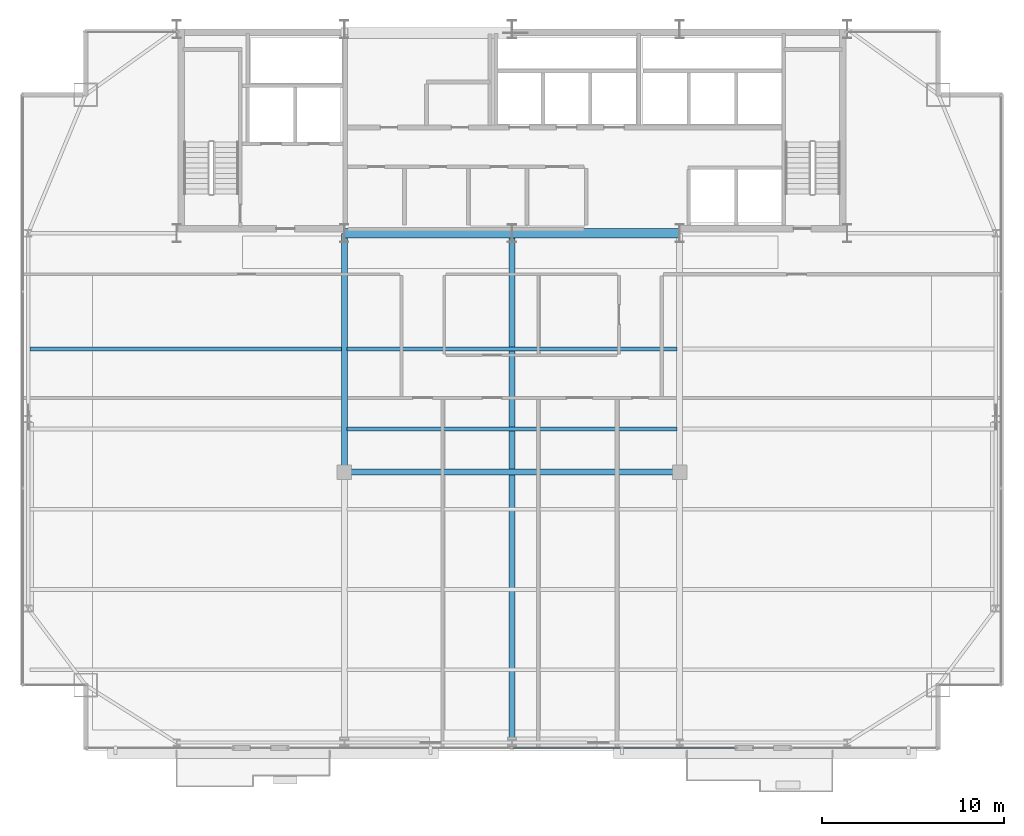
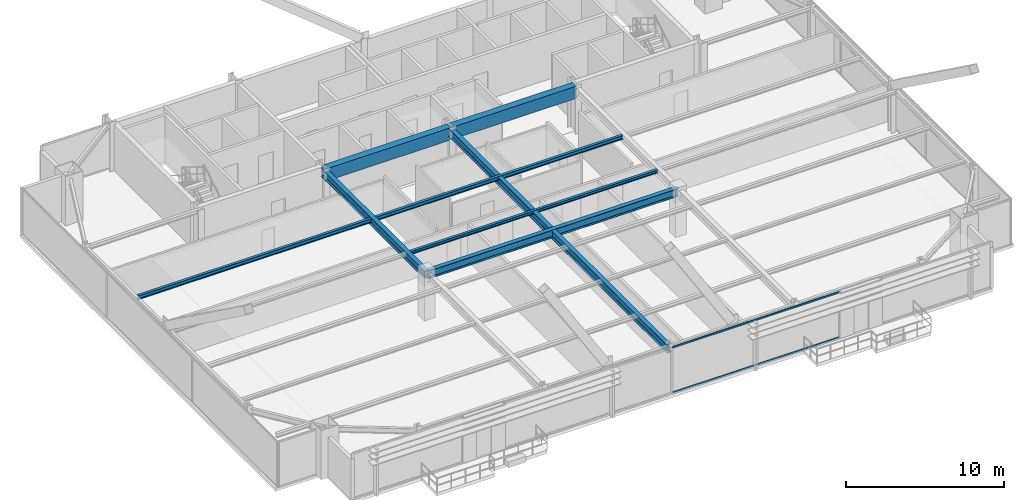
# One storey, part 13 of 32: 8 beams, 2 members, 1 element without a shape of its own.
"""IFC4 building model written with IfcOpenShell, lengths in metres."""

from ifc_helpers import new_model, si_unit, direction, frame, origin, origin_2d, place, context, subcontext, project, spatial, rectangle, hollow_rectangle, i_section, extrude, source, transform, mapped, material, layer, layer_set, material_profile, profile_set, type_object, type_shapes, element, aggregate, save


model = new_model("IFC4")

# Units and contexts
model_context = context("Model", 3, precision=1e-05, world=origin(), true_north=direction((0.0, 1.0)))
body_context = subcontext(model_context, "Body", "Model", "MODEL_VIEW")
ifc_project = project(units=[si_unit("LENGTHUNIT", "METRE"), si_unit("AREAUNIT", "SQUARE_METRE"), si_unit("VOLUMEUNIT", "CUBIC_METRE"), si_unit("PLANEANGLEUNIT", "RADIAN"), si_unit("MASSUNIT", "GRAM", prefix="KILO")], contexts=[model_context])

# Site, building, storey
site_placement = place(None, origin())
site = spatial("IfcSite", under=ifc_project, at=site_placement, CompositionType="ELEMENT")
building_placement = place(site_placement, origin())
building = spatial("IfcBuilding", under=site, at=building_placement, Name="Varnel Quay Broadcast Tower", CompositionType="ELEMENT")
storey_placement = place(building_placement, frame((0.0, 0.0, 164.800048828125)))
storey = spatial("IfcBuildingStorey", under=building, at=storey_placement, Name="L40", CompositionType="ELEMENT", Elevation=164.800048828125)

# Beams
ifc_material_1 = material(Name="Structural Steel CSA G40.21 350W", Category="steel")
ifc_material_profile_1 = material_profile(ifc_material_1, i_section(OverallWidth=0.324951171875, OverallDepth=0.615966796875, WebThickness=0.013916015625, FlangeThickness=0.021484375, FilletRadius=0.01611328125, at=origin_2d()), Name="W610X174")
ifc_profile_set_1 = profile_set([ifc_material_profile_1], Name="Structural Steel CSA G40.21 350W")
beam_type_1 = type_object("IfcBeamType", Name="Girder_W610X174", PredefinedType="BEAM", material=ifc_profile_set_1)
shared_shape_1 = source(origin(), body_context, "Body", "SweptSolid", [
    extrude(i_section(OverallWidth=0.324951171875, OverallDepth=0.615966796875, WebThickness=0.013916015625, FlangeThickness=0.021484375, FilletRadius=0.01611328125, at=origin_2d()), origin(), (0.0, 0.0, 1.0), 13.070068359375),
])
beam_1_placement = place(storey_placement, frame((24.800048828125, 22.510009765625, 3.241943359375), z_axis=(0.0, 1.0, 0.0), x_axis=(-1.0, 0.0, 0.0)))
element("IfcBeam", 1, at=beam_1_placement, inside=storey, type_object=beam_type_1, Name="L40 Primary Girder IC-01-CC-S2", PredefinedType="BEAM", context=body_context, shape_type="MappedRepresentation", body=[
    mapped(shared_shape_1, transform((0.0, 0.0, 0.0), x_axis=(1.0, 0.0, 0.0), y_axis=(0.0, 1.0, 0.0), z_axis=(0.0, 0.0, 1.0), scale=1.0)),
])
shared_shape_2 = source(origin(), body_context, "Body", "SweptSolid", [
    extrude(i_section(OverallWidth=0.324951171875, OverallDepth=0.615966796875, WebThickness=0.013916015625, FlangeThickness=0.021484375, FilletRadius=0.01611328125, at=origin_2d()), origin(), (0.0, 0.0, 1.0), 18.35986328125),
])
beam_2_placement = place(storey_placement, frame((24.820068359375, 22.489990234375, 3.241943359375), z_axis=(1.0, 0.0, 0.0), x_axis=(0.0, 1.0, 0.0)))
element("IfcBeam", 2, at=beam_2_placement, inside=storey, type_object=beam_type_1, Name="L40 Interior Spine Girder", PredefinedType="BEAM", context=body_context, shape_type="MappedRepresentation", body=[
    mapped(shared_shape_2, transform((0.0, 0.0, 0.0), x_axis=(1.0, 0.0, 0.0), y_axis=(0.0, 1.0, 0.0), z_axis=(0.0, 0.0, 1.0), scale=1.0)),
])
shared_shape_3 = source(origin(), body_context, "Body", "SweptSolid", [
    extrude(i_section(OverallWidth=0.324951171875, OverallDepth=0.615966796875, WebThickness=0.013916015625, FlangeThickness=0.021484375, FilletRadius=0.01611328125, at=origin_2d()), origin(), (0.0, 0.0, 1.0), 27.91015625),
])
type_shapes(beam_type_1, [shared_shape_1, shared_shape_2, shared_shape_3])
beam_3_placement = place(storey_placement, frame((34.0, 7.669921875, 3.241943359375), z_axis=(0.0, 1.0, 0.0), x_axis=(-1.0, 0.0, 0.0)))
element("IfcBeam", 3, at=beam_3_placement, inside=storey, type_object=beam_type_1, Name="L40 Central Bay Girder", PredefinedType="BEAM", context=body_context, shape_type="MappedRepresentation", body=[
    mapped(shared_shape_3, transform((0.0, 0.0, 0.0), x_axis=(1.0, 0.0, 0.0), y_axis=(0.0, 1.0, 0.0), z_axis=(0.0, 0.0, 1.0), scale=1.0)),
])
ifc_material_2 = material(Name="Concrete CSA A23.3 C50/60", Category="concrete")
ifc_material_profile_2 = material_profile(ifc_material_2, rectangle(XDim=0.5, YDim=0.949951171875, at=origin_2d()), Name="RC500X950")
ifc_profile_set_2 = profile_set([ifc_material_profile_2], Name="Concrete CSA A23.3 C50/60")
beam_type_2 = type_object("IfcBeamType", Name="Beam_RC500X950", PredefinedType="BEAM", material=ifc_profile_set_2)
shared_shape_4 = source(origin(), body_context, "Body", "SweptSolid", [
    extrude(rectangle(XDim=0.5, YDim=0.949951171875, at=origin_2d()), origin(), (0.0, 0.0, 1.0), 9.159912109375),
])
type_shapes(beam_type_2, [shared_shape_4])
for number, where, z_axis, x_axis, name in (
    (4, (24.820068359375, 35.60009765625, 3.074951171875), (1.0, 0.0, 0.0), (0.0, 1.0, 0.0), "L40 Core Coupling Beam W"),
    (5, (34.02001953125, 35.60009765625, 3.074951171875), (1.0, 0.0, 0.0), (0.0, 1.0, 0.0), "L40 Core Coupling Beam E"),
):
    element("IfcBeam", number, at=place(storey_placement, frame(where, z_axis=z_axis, x_axis=x_axis)), inside=storey, type_object=beam_type_2, Name=name, PredefinedType="BEAM", context=body_context, shape_type="MappedRepresentation", body=[
        mapped(shared_shape_4, transform((0.0, 0.0, 0.0), x_axis=(1.0, 0.0, 0.0), y_axis=(0.0, 1.0, 0.0), z_axis=(0.0, 0.0, 1.0), scale=1.0)),
    ])
ifc_material_profile_3 = material_profile(ifc_material_1, i_section(OverallWidth=0.202880859375, OverallDepth=0.302978515625, WebThickness=0.007568359375, FlangeThickness=0.01318359375, FilletRadius=0.011962890625, at=origin_2d()), Name="W310X60")
ifc_profile_set_3 = profile_set([ifc_material_profile_3], Name="Structural Steel CSA G40.21 350W")
beam_type_3 = type_object("IfcBeamType", Name="Beam_W310X60", PredefinedType="JOIST", material=ifc_profile_set_3)
shared_shape_5 = source(origin(), body_context, "Body", "SweptSolid", [
    extrude(i_section(OverallWidth=0.202880859375, OverallDepth=0.302978515625, WebThickness=0.007568359375, FlangeThickness=0.01318359375, FilletRadius=0.011962890625, at=origin_2d()), origin(), (0.0, 0.0, 1.0), 17.107177734375),
])
beam_4_placement = place(storey_placement, frame((7.535400390625, 29.25, 3.3984375), z_axis=(1.0, 0.0, 0.0), x_axis=(0.0, 1.0, 0.0)))
element("IfcBeam", 6, at=beam_4_placement, inside=storey, type_object=beam_type_3, Name="L40 West Floor Joist 5", PredefinedType="JOIST", context=body_context, shape_type="MappedRepresentation", body=[
    mapped(shared_shape_5, transform((0.0, 0.0, 0.0), x_axis=(1.0, 0.0, 0.0), y_axis=(0.0, 1.0, 0.0), z_axis=(0.0, 0.0, 1.0), scale=1.0)),
])
shared_shape_6 = source(origin(), body_context, "Body", "SweptSolid", [
    extrude(i_section(OverallWidth=0.202880859375, OverallDepth=0.302978515625, WebThickness=0.007568359375, FlangeThickness=0.01318359375, FilletRadius=0.011962890625, at=origin_2d()), origin(), (0.0, 0.0, 1.0), 18.0849609375),
])
type_shapes(beam_type_3, [shared_shape_5, shared_shape_6])
beam_5_placement = place(storey_placement, frame((24.95751953125, 29.25, 3.3984375), z_axis=(1.0, 0.0, 0.0), x_axis=(0.0, 1.0, 0.0)))
element("IfcBeam", 7, at=beam_5_placement, inside=storey, type_object=beam_type_3, Name="L40 Central Floor Joist 5", PredefinedType="JOIST", context=body_context, shape_type="MappedRepresentation", body=[
    mapped(shared_shape_6, transform((0.0, 0.0, 0.0), x_axis=(1.0, 0.0, 0.0), y_axis=(0.0, 1.0, 0.0), z_axis=(0.0, 0.0, 1.0), scale=1.0)),
])
ifc_material_profile_4 = material_profile(ifc_material_1, i_section(OverallWidth=0.201904296875, OverallDepth=0.2470703125, WebThickness=0.00732421875, FlangeThickness=0.010986328125, FilletRadius=0.010986328125, at=origin_2d()), Name="W250X49")
ifc_profile_set_4 = profile_set([ifc_material_profile_4], Name="Structural Steel CSA G40.21 350W")
beam_type_4 = type_object("IfcBeamType", Name="Beam_W250X49", PredefinedType="JOIST", material=ifc_profile_set_4)
shared_shape_7 = source(origin(), body_context, "Body", "SweptSolid", [
    extrude(i_section(OverallWidth=0.201904296875, OverallDepth=0.2470703125, WebThickness=0.00732421875, FlangeThickness=0.010986328125, FilletRadius=0.010986328125, at=origin_2d()), origin(), (0.0, 0.0, 1.0), 18.0849609375),
])
type_shapes(beam_type_4, [shared_shape_7])
beam_6_placement = place(storey_placement, frame((24.95751953125, 24.85009765625, 3.426513671875), z_axis=(1.0, 0.0, 0.0), x_axis=(0.0, 1.0, 0.0)))
element("IfcBeam", 8, at=beam_6_placement, inside=storey, type_object=beam_type_4, Name="L40 Central Floor Joist 4", PredefinedType="JOIST", context=body_context, shape_type="MappedRepresentation", body=[
    mapped(shared_shape_7, transform((0.0, 0.0, 0.0), x_axis=(1.0, 0.0, 0.0), y_axis=(0.0, 1.0, 0.0), z_axis=(0.0, 0.0, 1.0), scale=1.0)),
])

# Curtain wall, members
ifc_material_3 = material(Name="Anodised Bronze Aluminium 6063-T6", Category="aluminium")
ifc_layer = layer(ifc_material_3, 0.18994140625, Name="Anodised Bronze Aluminium 6063-T6")
ifc_layer_set = layer_set([ifc_layer], Name="Anodised Bronze Aluminium 6063-T6")
curtain_wall_type = type_object("IfcCurtainWallType", Name="CW_UpperTower", PredefinedType="NOTDEFINED", material=ifc_layer_set)
curtain_wall_placement = place(storey_placement, origin())
curtain_wall = element("IfcCurtainWall", 9, at=curtain_wall_placement, inside=storey, type_object=curtain_wall_type, Name="L40 South Unitised Curtain Wall 2", PredefinedType="NOTDEFINED")
ifc_material_profile_5 = material_profile(ifc_material_3, hollow_rectangle(XDim=0.06005859375, YDim=0.125, WallThickness=0.0029296875, at=origin_2d()), Name="ALU60X125X3")
ifc_profile_set_5 = profile_set([ifc_material_profile_5], Name="Anodised Bronze Aluminium 6063-T6")
member_type = type_object("IfcMemberType", Name="Tran_CWS-03", PredefinedType="USERDEFINED", material=ifc_profile_set_5)
shared_shape_8 = source(origin(), body_context, "Body", "SweptSolid", [
    extrude(hollow_rectangle(XDim=0.06005859375, YDim=0.125, WallThickness=0.0029296875, at=origin_2d()), origin(), (0.0, 0.0, 1.0), 12.222412109375),
])
type_shapes(member_type, [shared_shape_8])
member_1_placement = place(storey_placement, frame((34.032470703125, 7.35009765625, 0.030029296875), z_axis=(1.0, 0.0, 0.0), x_axis=(0.0, 1.0, 0.0)))
member_1 = element("IfcMember", 10, at=member_1_placement, type_object=member_type, Name="CWS-03 transom 2.1", ObjectType="TRANSOM", PredefinedType="USERDEFINED", context=body_context, shape_type="MappedRepresentation", body=[
    mapped(shared_shape_8, transform((0.0, 0.0, 0.0), x_axis=(1.0, 0.0, 0.0), y_axis=(0.0, 1.0, 0.0), z_axis=(0.0, 0.0, 1.0), scale=1.0)),
])
member_2_placement = place(storey_placement, frame((34.032470703125, 7.35009765625, 3.52001953125), z_axis=(1.0, 0.0, 0.0), x_axis=(0.0, 1.0, 0.0)))
member_2 = element("IfcMember", 11, at=member_2_placement, type_object=member_type, Name="CWS-03 transom 2.2", ObjectType="TRANSOM", PredefinedType="USERDEFINED", context=body_context, shape_type="MappedRepresentation", body=[
    mapped(shared_shape_8, transform((0.0, 0.0, 0.0), x_axis=(1.0, 0.0, 0.0), y_axis=(0.0, 1.0, 0.0), z_axis=(0.0, 0.0, 1.0), scale=1.0)),
])
aggregate(curtain_wall, [member_1, member_2])

save(model, "model.ifc")
